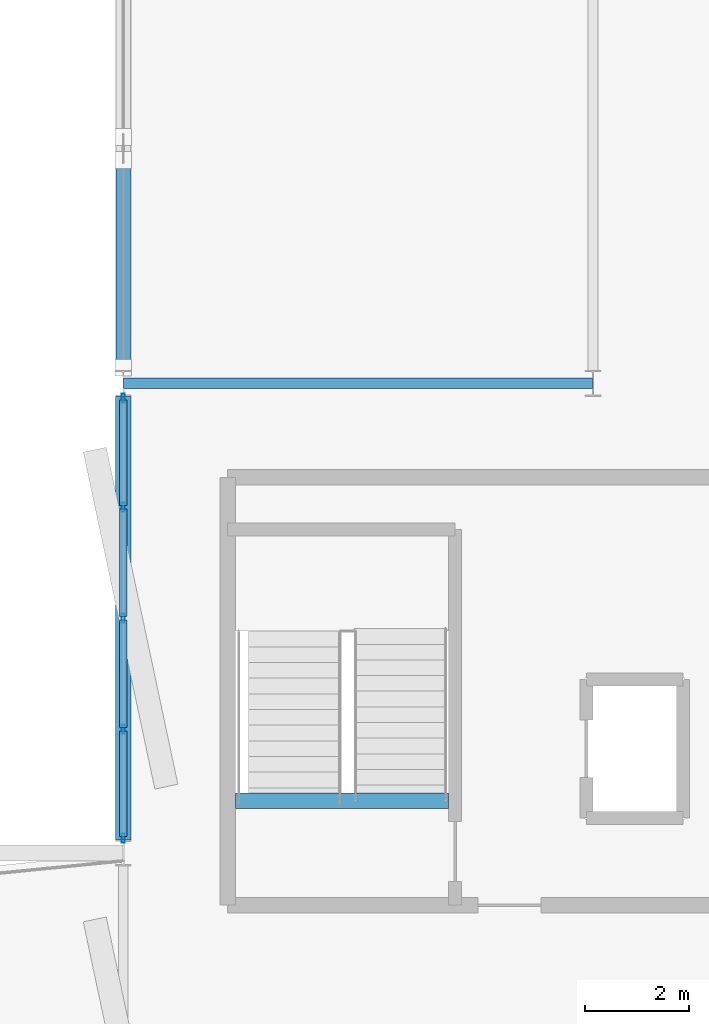
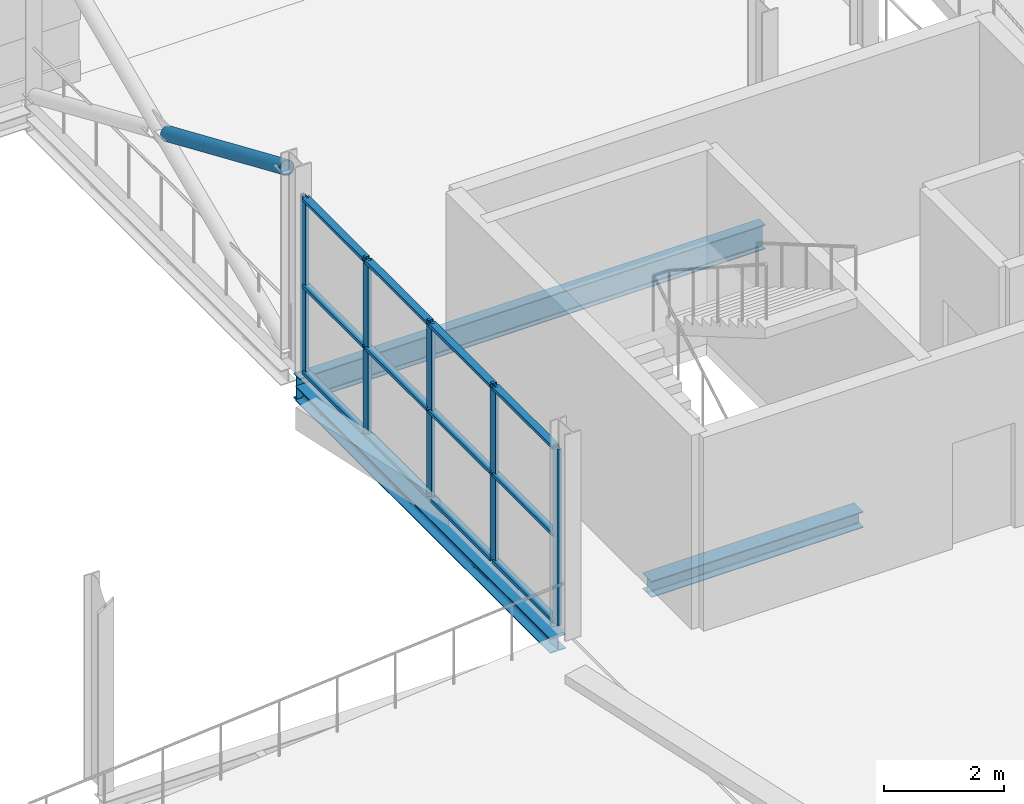
# One storey, part 72 of 135: 18 members, 3 beams, 1 element without a shape of its own.
"""IFC4 building model written with IfcOpenShell, lengths in metres."""

from ifc_helpers import new_model, si_unit, direction, frame, origin, origin_2d, place, context, subcontext, project, spatial, hollow_rectangle, hollow_circle, i_section, extrude, material, layer, layer_set, material_profile, profile_set, type_object, element, aggregate, save


model = new_model("IFC4")

# Units and contexts
model_context = context("Model", 3, precision=1e-05, world=origin(), true_north=direction((0.0, 1.0)))
body_context = subcontext(model_context, "Body", "Model", "MODEL_VIEW")
ifc_project = project(units=[si_unit("LENGTHUNIT", "METRE"), si_unit("AREAUNIT", "SQUARE_METRE"), si_unit("VOLUMEUNIT", "CUBIC_METRE"), si_unit("PLANEANGLEUNIT", "RADIAN"), si_unit("MASSUNIT", "GRAM", prefix="KILO")], contexts=[model_context])

# Site, building, storey
site_placement = place(None, origin())
site = spatial("IfcSite", under=ifc_project, at=site_placement, CompositionType="ELEMENT")
building_placement = place(site_placement, origin())
building = spatial("IfcBuilding", under=site, at=building_placement, Name="Deido Ridge Mobility Hub", CompositionType="ELEMENT")
storey_placement = place(building_placement, frame((0.0, 0.0, 4.199951171875)))
storey = spatial("IfcBuildingStorey", under=building, at=storey_placement, Name="L01", CompositionType="ELEMENT", Elevation=4.199951171875)

# Beams
ifc_material_1 = material(Name="Steel S355J2 EN 10025-2", Category="steel")
ifc_material_profile_1 = material_profile(ifc_material_1, i_section(OverallWidth=0.300048828125, OverallDepth=0.330078125, WebThickness=0.009521484375, FlangeThickness=0.0166015625, FilletRadius=0.027099609375, at=origin_2d()), Name="HEA 340")
ifc_profile_set_1 = profile_set([ifc_material_profile_1], Name="Steel S355J2 EN 10025-2")
beam_type_1 = type_object("IfcBeamType", Name="BM-HEA340", PredefinedType="BEAM", material=ifc_profile_set_1)
beam_1_placement = place(storey_placement, frame((74.14990234375, 64.0, -0.4150390625), z_axis=(1.0, 0.0, 0.0), x_axis=(0.0, 1.0, 0.0)))
element("IfcBeam", 1, at=beam_1_placement, inside=storey, type_object=beam_type_1, Name="C4 stair landing trimmer beam B6", PredefinedType="BEAM", context=body_context, shape_type="SweptSolid", body=[
    extrude(i_section(OverallWidth=0.300048828125, OverallDepth=0.330078125, WebThickness=0.009521484375, FlangeThickness=0.0166015625, FilletRadius=0.027099609375, at=origin_2d()), origin(), (0.0, 0.0, 1.0), 4.085205078125),
])
ifc_material_profile_2 = material_profile(ifc_material_1, i_section(OverallWidth=0.199951171875, OverallDepth=0.5, WebThickness=0.01025390625, FlangeThickness=0.01611328125, FilletRadius=0.02099609375, at=origin_2d()), Name="IPE 500")
ifc_profile_set_2 = profile_set([ifc_material_profile_2], Name="Steel S355J2 EN 10025-2")
beam_type_2 = type_object("IfcBeamType", Name="BM-IPE500", PredefinedType="BEAM", material=ifc_profile_set_2)
beam_2_placement = place(storey_placement, frame((72.007080078125, 72.0, -0.5), z_axis=(1.0, 0.0, 0.0), x_axis=(0.0, 1.0, 0.0)))
element("IfcBeam", 2, at=beam_2_placement, inside=storey, type_object=beam_type_2, Name="Floor beam B3", PredefinedType="BEAM", context=body_context, shape_type="SweptSolid", body=[
    extrude(i_section(OverallWidth=0.199951171875, OverallDepth=0.5, WebThickness=0.01025390625, FlangeThickness=0.01611328125, FilletRadius=0.02099609375, at=origin_2d()), origin(), (0.0, 0.0, 1.0), 8.98583984375),
])

# Member
ifc_material_2 = material(Name="Steel S355J2H EN 10210-1", Category="steel")
ifc_material_profile_3 = material_profile(ifc_material_2, hollow_circle(Radius=0.136474609375, WallThickness=0.012451171875, at=origin_2d()), Name="CHS 273x12.5")
ifc_profile_set_3 = profile_set([ifc_material_profile_3], Name="Steel S355J2H EN 10210-1")
member_type_1 = type_object("IfcMemberType", Name="MEM-BRC-CHS273", PredefinedType="BRACE", material=ifc_profile_set_3)
member_1_placement = place(storey_placement, frame((72.0, 76.27978515625, 2.095458984375), z_axis=(0.0, -0.917550833654, 0.397618495119), x_axis=(1.0, 0.0, 0.0)))
element("IfcMember", 3, at=member_1_placement, inside=storey, type_object=member_type_1, Name="Split X-brace diagonal segment BR1", PredefinedType="BRACE", context=body_context, shape_type="SweptSolid", body=[
    extrude(hollow_circle(Radius=0.136474609375, WallThickness=0.012451171875, at=origin_2d()), origin(), (0.0, 0.0, 1.0), 4.33740234375),
])

# Curtain wall, members
ifc_material_3 = material(Name="Anodised aluminium EN AW-6063 T6", Category="aluminium")
ifc_layer = layer(ifc_material_3, 0.179931640625, Name="Anodised aluminium EN AW-6063 T6")
ifc_layer_set = layer_set([ifc_layer], Name="Anodised aluminium EN AW-6063 T6")
curtain_wall_type = type_object("IfcCurtainWallType", Name="CW-UF-2", PredefinedType="USERDEFINED", material=ifc_layer_set)
curtain_wall_placement = place(storey_placement, origin())
curtain_wall = element("IfcCurtainWall", 4, at=curtain_wall_placement, inside=storey, type_object=curtain_wall_type, Name="Unitised curtain wall CW2", ObjectType="UNITISED FACADE", PredefinedType="USERDEFINED")
ifc_material_profile_4 = material_profile(ifc_material_3, hollow_rectangle(XDim=0.06494140625, YDim=0.175048828125, WallThickness=0.00390625, at=origin_2d()), Name="RHS 65x175x4")
ifc_profile_set_4 = profile_set([ifc_material_profile_4], Name="Anodised aluminium EN AW-6063 T6")
member_type_2 = type_object("IfcMemberType", Name="MEM-MUL-65X175", PredefinedType="MULLION", material=ifc_profile_set_4)
member_2_placement = place(storey_placement, frame((72.0, 63.282470703125, 0.0), z_axis=(0.0, 0.0, 1.0), x_axis=(-1.0, 0.0, 0.0)))
member_2 = element("IfcMember", 5, at=member_2_placement, type_object=member_type_2, Name="CW2 mullion 1", PredefinedType="MULLION", context=body_context, shape_type="SweptSolid", body=[
    extrude(hollow_rectangle(XDim=0.06494140625, YDim=0.175048828125, WallThickness=0.00390625, at=origin_2d()), origin(), (0.0, 0.0, 1.0), 3.60009765625),
])
member_3_placement = place(storey_placement, frame((72.0, 65.375, 0.0), z_axis=(0.0, 0.0, 1.0), x_axis=(-1.0, 0.0, 0.0)))
member_3 = element("IfcMember", 6, at=member_3_placement, type_object=member_type_2, Name="CW2 mullion 2", PredefinedType="MULLION", context=body_context, shape_type="SweptSolid", body=[
    extrude(hollow_rectangle(XDim=0.06494140625, YDim=0.175048828125, WallThickness=0.00390625, at=origin_2d()), origin(), (0.0, 0.0, 1.0), 3.60009765625),
])
member_4_placement = place(storey_placement, frame((72.0, 67.5, 0.0), z_axis=(0.0, 0.0, 1.0), x_axis=(-1.0, 0.0, 0.0)))
member_4 = element("IfcMember", 7, at=member_4_placement, type_object=member_type_2, Name="CW2 mullion 3", PredefinedType="MULLION", context=body_context, shape_type="SweptSolid", body=[
    extrude(hollow_rectangle(XDim=0.06494140625, YDim=0.175048828125, WallThickness=0.00390625, at=origin_2d()), origin(), (0.0, 0.0, 1.0), 3.60009765625),
])
member_5_placement = place(storey_placement, frame((72.0, 69.625, 0.0), z_axis=(0.0, 0.0, 1.0), x_axis=(-1.0, 0.0, 0.0)))
member_5 = element("IfcMember", 8, at=member_5_placement, type_object=member_type_2, Name="CW2 mullion 4", PredefinedType="MULLION", context=body_context, shape_type="SweptSolid", body=[
    extrude(hollow_rectangle(XDim=0.06494140625, YDim=0.175048828125, WallThickness=0.00390625, at=origin_2d()), origin(), (0.0, 0.0, 1.0), 3.60009765625),
])
member_6_placement = place(storey_placement, frame((72.0, 71.717529296875, 0.0), z_axis=(0.0, 0.0, 1.0), x_axis=(-1.0, 0.0, 0.0)))
member_6 = element("IfcMember", 9, at=member_6_placement, type_object=member_type_2, Name="CW2 mullion 5", PredefinedType="MULLION", context=body_context, shape_type="SweptSolid", body=[
    extrude(hollow_rectangle(XDim=0.06494140625, YDim=0.175048828125, WallThickness=0.00390625, at=origin_2d()), origin(), (0.0, 0.0, 1.0), 3.60009765625),
])
ifc_material_profile_5 = material_profile(ifc_material_3, hollow_rectangle(XDim=0.135009765625, YDim=0.06494140625, WallThickness=0.00390625, at=origin_2d()), Name="RHS 135x65x4")
ifc_profile_set_5 = profile_set([ifc_material_profile_5], Name="Anodised aluminium EN AW-6063 T6")
member_type_3 = type_object("IfcMemberType", Name="MEM-TRN-135X65", PredefinedType="USERDEFINED", material=ifc_profile_set_5)
member_7_placement = place(storey_placement, frame((72.0, 63.31494140625, 0.032470703125), z_axis=(0.0, 1.0, 0.0), x_axis=(-1.0, 0.0, 0.0)))
member_7 = element("IfcMember", 10, at=member_7_placement, type_object=member_type_3, Name="CW2 transom 1.1", ObjectType="TRANSOM", PredefinedType="USERDEFINED", context=body_context, shape_type="SweptSolid", body=[
    extrude(hollow_rectangle(XDim=0.135009765625, YDim=0.06494140625, WallThickness=0.00390625, at=origin_2d()), origin(), (0.0, 0.0, 1.0), 2.027587890625),
])
member_8_placement = place(storey_placement, frame((72.0, 63.31494140625, 1.800048828125), z_axis=(0.0, 1.0, 0.0), x_axis=(-1.0, 0.0, 0.0)))
member_8 = element("IfcMember", 11, at=member_8_placement, type_object=member_type_3, Name="CW2 transom 1.2", ObjectType="TRANSOM", PredefinedType="USERDEFINED", context=body_context, shape_type="SweptSolid", body=[
    extrude(hollow_rectangle(XDim=0.135009765625, YDim=0.06494140625, WallThickness=0.00390625, at=origin_2d()), origin(), (0.0, 0.0, 1.0), 2.027587890625),
])
member_9_placement = place(storey_placement, frame((72.0, 63.31494140625, 3.567626953125), z_axis=(0.0, 1.0, 0.0), x_axis=(-1.0, 0.0, 0.0)))
member_9 = element("IfcMember", 12, at=member_9_placement, type_object=member_type_3, Name="CW2 transom 1.3", ObjectType="TRANSOM", PredefinedType="USERDEFINED", context=body_context, shape_type="SweptSolid", body=[
    extrude(hollow_rectangle(XDim=0.135009765625, YDim=0.06494140625, WallThickness=0.00390625, at=origin_2d()), origin(), (0.0, 0.0, 1.0), 2.027587890625),
])
member_10_placement = place(storey_placement, frame((72.0, 65.407470703125, 0.032470703125), z_axis=(0.0, 1.0, 0.0), x_axis=(-1.0, 0.0, 0.0)))
member_10 = element("IfcMember", 13, at=member_10_placement, type_object=member_type_3, Name="CW2 transom 2.1", ObjectType="TRANSOM", PredefinedType="USERDEFINED", context=body_context, shape_type="SweptSolid", body=[
    extrude(hollow_rectangle(XDim=0.135009765625, YDim=0.06494140625, WallThickness=0.00390625, at=origin_2d()), origin(), (0.0, 0.0, 1.0), 2.06005859375),
])
member_11_placement = place(storey_placement, frame((72.0, 65.407470703125, 1.800048828125), z_axis=(0.0, 1.0, 0.0), x_axis=(-1.0, 0.0, 0.0)))
member_11 = element("IfcMember", 14, at=member_11_placement, type_object=member_type_3, Name="CW2 transom 2.2", ObjectType="TRANSOM", PredefinedType="USERDEFINED", context=body_context, shape_type="SweptSolid", body=[
    extrude(hollow_rectangle(XDim=0.135009765625, YDim=0.06494140625, WallThickness=0.00390625, at=origin_2d()), origin(), (0.0, 0.0, 1.0), 2.06005859375),
])
member_12_placement = place(storey_placement, frame((72.0, 65.407470703125, 3.567626953125), z_axis=(0.0, 1.0, 0.0), x_axis=(-1.0, 0.0, 0.0)))
member_12 = element("IfcMember", 15, at=member_12_placement, type_object=member_type_3, Name="CW2 transom 2.3", ObjectType="TRANSOM", PredefinedType="USERDEFINED", context=body_context, shape_type="SweptSolid", body=[
    extrude(hollow_rectangle(XDim=0.135009765625, YDim=0.06494140625, WallThickness=0.00390625, at=origin_2d()), origin(), (0.0, 0.0, 1.0), 2.06005859375),
])
member_13_placement = place(storey_placement, frame((72.0, 67.532470703125, 0.032470703125), z_axis=(0.0, 1.0, 0.0), x_axis=(-1.0, 0.0, 0.0)))
member_13 = element("IfcMember", 16, at=member_13_placement, type_object=member_type_3, Name="CW2 transom 3.1", ObjectType="TRANSOM", PredefinedType="USERDEFINED", context=body_context, shape_type="SweptSolid", body=[
    extrude(hollow_rectangle(XDim=0.135009765625, YDim=0.06494140625, WallThickness=0.00390625, at=origin_2d()), origin(), (0.0, 0.0, 1.0), 2.06005859375),
])
member_14_placement = place(storey_placement, frame((72.0, 67.532470703125, 1.800048828125), z_axis=(0.0, 1.0, 0.0), x_axis=(-1.0, 0.0, 0.0)))
member_14 = element("IfcMember", 17, at=member_14_placement, type_object=member_type_3, Name="CW2 transom 3.2", ObjectType="TRANSOM", PredefinedType="USERDEFINED", context=body_context, shape_type="SweptSolid", body=[
    extrude(hollow_rectangle(XDim=0.135009765625, YDim=0.06494140625, WallThickness=0.00390625, at=origin_2d()), origin(), (0.0, 0.0, 1.0), 2.06005859375),
])
member_15_placement = place(storey_placement, frame((72.0, 67.532470703125, 3.567626953125), z_axis=(0.0, 1.0, 0.0), x_axis=(-1.0, 0.0, 0.0)))
member_15 = element("IfcMember", 18, at=member_15_placement, type_object=member_type_3, Name="CW2 transom 3.3", ObjectType="TRANSOM", PredefinedType="USERDEFINED", context=body_context, shape_type="SweptSolid", body=[
    extrude(hollow_rectangle(XDim=0.135009765625, YDim=0.06494140625, WallThickness=0.00390625, at=origin_2d()), origin(), (0.0, 0.0, 1.0), 2.06005859375),
])
member_16_placement = place(storey_placement, frame((72.0, 69.657470703125, 0.032470703125), z_axis=(0.0, 1.0, 0.0), x_axis=(-1.0, 0.0, 0.0)))
member_16 = element("IfcMember", 19, at=member_16_placement, type_object=member_type_3, Name="CW2 transom 4.1", ObjectType="TRANSOM", PredefinedType="USERDEFINED", context=body_context, shape_type="SweptSolid", body=[
    extrude(hollow_rectangle(XDim=0.135009765625, YDim=0.06494140625, WallThickness=0.00390625, at=origin_2d()), origin(), (0.0, 0.0, 1.0), 2.027587890625),
])
member_17_placement = place(storey_placement, frame((72.0, 69.657470703125, 1.800048828125), z_axis=(0.0, 1.0, 0.0), x_axis=(-1.0, 0.0, 0.0)))
member_17 = element("IfcMember", 20, at=member_17_placement, type_object=member_type_3, Name="CW2 transom 4.2", ObjectType="TRANSOM", PredefinedType="USERDEFINED", context=body_context, shape_type="SweptSolid", body=[
    extrude(hollow_rectangle(XDim=0.135009765625, YDim=0.06494140625, WallThickness=0.00390625, at=origin_2d()), origin(), (0.0, 0.0, 1.0), 2.027587890625),
])
member_18_placement = place(storey_placement, frame((72.0, 69.657470703125, 3.567626953125), z_axis=(0.0, 1.0, 0.0), x_axis=(-1.0, 0.0, 0.0)))
member_18 = element("IfcMember", 21, at=member_18_placement, type_object=member_type_3, Name="CW2 transom 4.3", ObjectType="TRANSOM", PredefinedType="USERDEFINED", context=body_context, shape_type="SweptSolid", body=[
    extrude(hollow_rectangle(XDim=0.135009765625, YDim=0.06494140625, WallThickness=0.00390625, at=origin_2d()), origin(), (0.0, 0.0, 1.0), 2.027587890625),
])
aggregate(curtain_wall, [member_2, member_3, member_4, member_5, member_6, member_7, member_8, member_9, member_10, member_11, member_12, member_13, member_14, member_15, member_16, member_17, member_18])

# Beam
ifc_material_profile_6 = material_profile(ifc_material_1, i_section(OverallWidth=0.300048828125, OverallDepth=0.300048828125, WebThickness=0.010986328125, FlangeThickness=0.01904296875, FilletRadius=0.027099609375, at=origin_2d()), Name="HEB 300")
ifc_profile_set_6 = profile_set([ifc_material_profile_6], Name="Steel S355J2 EN 10025-2")
beam_type_3 = type_object("IfcBeamType", Name="SPD-HEB300", PredefinedType="SPANDREL", material=ifc_profile_set_6)
beam_3_placement = place(storey_placement, frame((72.0, 63.25, -0.39990234375), z_axis=(0.0, 1.0, 0.0), x_axis=(-1.0, 0.0, 0.0)))
element("IfcBeam", 22, at=beam_3_placement, inside=storey, type_object=beam_type_3, Name="Floor beam SP1", PredefinedType="SPANDREL", context=body_context, shape_type="SweptSolid", body=[
    extrude(i_section(OverallWidth=0.300048828125, OverallDepth=0.300048828125, WebThickness=0.010986328125, FlangeThickness=0.01904296875, FilletRadius=0.027099609375, at=origin_2d()), origin(), (0.0, 0.0, 1.0), 8.5),
])

save(model, "model.ifc")
